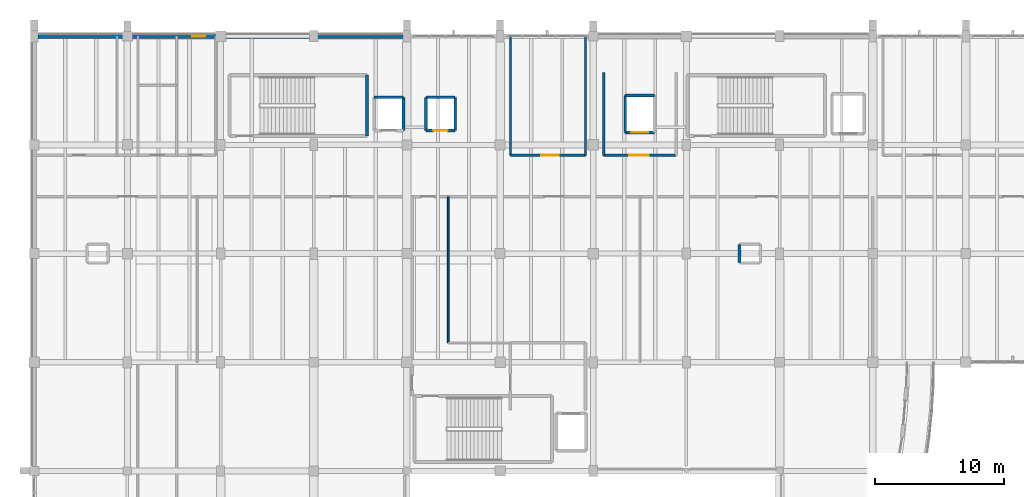
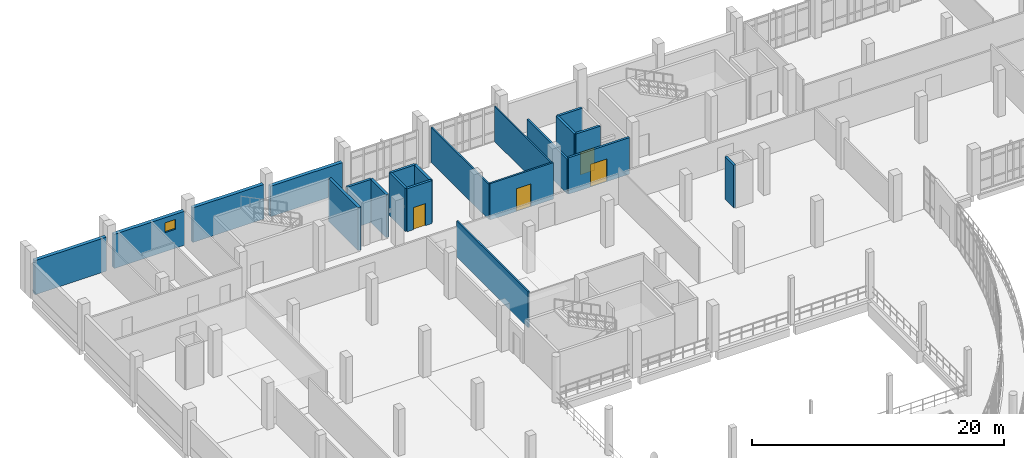
# One storey, part 104 of 116: 21 walls, 4 doors, 1 window, 5 openings.
"""IFC4 building model written with IfcOpenShell, lengths in metres."""

from ifc_helpers import new_model, si_unit, direction, frame, frame_2d, origin, place, context, subcontext, project, spatial, rectangle, extrude, material, layer, layer_set, type_object, element, fill, save


model = new_model("IFC4")

# Units and contexts
model_context = context("Model", 3, precision=1e-05, world=origin(), true_north=direction((0.0, 1.0)))
body_context = subcontext(model_context, "Body", "Model", "MODEL_VIEW")
ifc_project = project(units=[si_unit("LENGTHUNIT", "METRE"), si_unit("AREAUNIT", "SQUARE_METRE"), si_unit("VOLUMEUNIT", "CUBIC_METRE"), si_unit("PLANEANGLEUNIT", "RADIAN"), si_unit("MASSUNIT", "GRAM", prefix="KILO")], contexts=[model_context])

# Site, building, storey
site_placement = place(None, origin())
site = spatial("IfcSite", under=ifc_project, at=site_placement, CompositionType="ELEMENT")
building_placement = place(site_placement, origin())
building = spatial("IfcBuilding", under=site, at=building_placement, Name="Kalluvel Institute of Natural Sciences", CompositionType="ELEMENT")
storey_placement = place(building_placement, frame((0.0, 0.0, 14.39990234375)))
storey = spatial("IfcBuildingStorey", under=building, at=storey_placement, Name="L03", CompositionType="ELEMENT", Elevation=14.39990234375)

# Walls
ifc_material_1 = material(Name="Concrete M40", Category="concrete")
ifc_layer_1 = layer(ifc_material_1, 0.25)
ifc_layer_set_1 = layer_set([ifc_layer_1], Name="Concrete M40")
wall_type_1 = type_object("IfcWallType", Name="WL-CORE-250", PredefinedType="SHEAR", material=ifc_layer_set_1)
wall_1_placement = place(storey_placement, frame((39.715087890625, 120.284912109375, 0.0), z_axis=(0.0, 0.0, 1.0), x_axis=(0.0, 1.0, 0.0)))
element("IfcWall", 1, at=wall_1_placement, inside=storey, type_object=wall_type_1, Name="ST1 L03 core wall E", PredefinedType="SHEAR", context=body_context, shape_type="SweptSolid", body=[
    extrude(rectangle(XDim=4.7001953125, YDim=0.25, at=frame_2d((2.35009765625, 0.0))), origin(), (0.0, 0.0, 1.0), 4.175048828125),
])
ifc_material_2 = material(Name="Sadarahalli Grey Granite Ashlar Concrete M40", Category="masonry")
ifc_layer_2 = layer(ifc_material_2, 0.320068359375)
ifc_layer_set_2 = layer_set([ifc_layer_2], Name="Sadarahalli Grey Granite Ashlar Concrete M40")
wall_type_2 = type_object("IfcWallType", Name="WL-EXT-320", PredefinedType="SOLIDWALL", material=ifc_layer_set_2)
wall_2_placement = place(storey_placement, frame((14.280029296875, 128.0, 0.0), z_axis=(0.0, 0.0, 1.0), x_axis=(1.0, 0.0, 0.0)))
element("IfcWall", 2, at=wall_2_placement, inside=storey, type_object=wall_type_2, Name="L03 Sadarahalli granite exterior wall WL-EXT-L03-0039", PredefinedType="SOLIDWALL", context=body_context, shape_type="SweptSolid", body=[
    extrude(rectangle(XDim=6.56494140625, YDim=0.320068359375, at=frame_2d((3.282470703125, 0.0))), origin(), (0.0, 0.0, 1.0), 3.30517578125),
])

# Wall, opening, window
wall_3_placement = place(storey_placement, frame((21.554931640625, 128.0, 0.0), z_axis=(0.0, 0.0, 1.0), x_axis=(1.0, 0.0, 0.0)))
wall_3 = element("IfcWall", 3, at=wall_3_placement, inside=storey, type_object=wall_type_2, Name="L03 Sadarahalli granite exterior wall WL-EXT-L03-0040", PredefinedType="SOLIDWALL", context=body_context, shape_type="SweptSolid", body=[
    extrude(rectangle(XDim=6.465087890625, YDim=0.320068359375, at=frame_2d((3.232421875, 0.0))), origin(), (0.0, 0.0, 1.0), 3.30517578125),
])
opening_1_placement = place(wall_3_placement, frame((4.64990234375, 0.0, 1.85009765625)))
opening_1 = element("IfcOpeningElement", 4, at=opening_1_placement, cuts=wall_3, Name="Opening W-23", PredefinedType="OPENING", context=body_context, shape_type="SweptSolid", body=[
    extrude(rectangle(XDim=1.0, YDim=0.949951171875, at=frame_2d((0.5, 0.47509765625))), frame((0.0, 0.169921875, 0.0), z_axis=(0.0, -1.0, 0.0), x_axis=(1.0, 0.0, 0.0)), (0.0, 0.0, 1.0), 0.340087890625),
])
ifc_material_3 = material(Name="Solar-Control Low-E Laminated Glass", Category="glass")
window_type = type_object("IfcWindowType", Name="WN-HIGH-100x095", PartitioningType="SINGLE_PANEL", PredefinedType="WINDOW", material=ifc_material_3)
window_placement = place(opening_1_placement, origin())
window = element("IfcWindow", 5, at=window_placement, inside=storey, type_object=window_type, Name="L03 Gothic lancet window 17", OverallHeight=0.949951171875, OverallWidth=1.0, PartitioningType="SINGLE_PANEL", PredefinedType="WINDOW", context=body_context, shape_type="SweptSolid", body=[
    extrude(rectangle(XDim=1.0, YDim=0.949951171875, at=frame_2d((0.5, 0.47509765625))), frame((0.0, 0.030029296875, 0.0), z_axis=(0.0, -1.0, 0.0), x_axis=(1.0, 0.0, 0.0)), (0.0, 0.0, 1.0), 0.06005859375),
])
fill(opening_1, window)

# Walls
wall_4_placement = place(storey_placement, frame((28.780029296875, 128.0, 0.0), z_axis=(0.0, 0.0, 1.0), x_axis=(1.0, 0.0, 0.0)))
element("IfcWall", 6, at=wall_4_placement, inside=storey, type_object=wall_type_2, Name="L03 Sadarahalli granite exterior wall WL-EXT-L03-0041", PredefinedType="SOLIDWALL", context=body_context, shape_type="SweptSolid", body=[
    extrude(rectangle(XDim=6.514892578125, YDim=0.320068359375, at=frame_2d((3.25732421875, 0.0))), origin(), (0.0, 0.0, 1.0), 3.35498046875),
])
wall_5_placement = place(storey_placement, frame((35.905029296875, 128.0, 0.0), z_axis=(0.0, 0.0, 1.0), x_axis=(1.0, 0.0, 0.0)))
element("IfcWall", 7, at=wall_5_placement, inside=storey, type_object=wall_type_2, Name="L03 Sadarahalli granite exterior wall WL-EXT-L03-0042", PredefinedType="SOLIDWALL", context=body_context, shape_type="SweptSolid", body=[
    extrude(rectangle(XDim=6.614990234375, YDim=0.320068359375, at=frame_2d((3.3076171875, 0.0))), origin(), (0.0, 0.0, 1.0), 2.955078125),
])
ifc_material_4 = material(Name="Autoclaved Aerated Concrete Masonry Block", Category="masonry")
ifc_layer_3 = layer(ifc_material_4, 0.179931640625)
ifc_layer_set_3 = layer_set([ifc_layer_3], Name="Autoclaved Aerated Concrete Masonry Block")
wall_type_3 = type_object("IfcWallType", Name="WL-FIRE-180", PredefinedType="SOLIDWALL", material=ifc_layer_set_3)
wall_6_placement = place(storey_placement, frame((58.0, 118.800048828125, 0.0), z_axis=(0.0, 0.0, 1.0), x_axis=(0.0, 1.0, 0.0)))
element("IfcWall", 8, at=wall_6_placement, inside=storey, type_object=wall_type_3, Name="L03 interior fire wall WL-INT-L03-0165", PredefinedType="SOLIDWALL", context=body_context, shape_type="SweptSolid", body=[
    extrude(rectangle(XDim=6.39990234375, YDim=0.179931640625, at=frame_2d((3.199951171875, 0.0))), origin(), (0.0, 0.0, 1.0), 3.360107421875),
])

# Wall, opening, door
ifc_layer_4 = layer(ifc_material_4, 0.199951171875)
ifc_layer_set_4 = layer_set([ifc_layer_4], Name="Autoclaved Aerated Concrete Masonry Block")
wall_type_4 = type_object("IfcWallType", Name="WL-FIRE-200", PredefinedType="SOLIDWALL", material=ifc_layer_set_4)
wall_7_placement = place(storey_placement, frame((58.0, 118.800048828125, 0.0), z_axis=(0.0, 0.0, 1.0), x_axis=(1.0, 0.0, 0.0)))
wall_7 = element("IfcWall", 9, at=wall_7_placement, inside=storey, type_object=wall_type_4, Name="L03 interior fire wall WL-INT-L03-0164", PredefinedType="SOLIDWALL", context=body_context, shape_type="SweptSolid", body=[
    extrude(rectangle(XDim=5.60009765625, YDim=0.199951171875, at=frame_2d((2.800048828125, 0.0))), origin(), (0.0, 0.0, 1.0), 3.5400390625),
])
opening_2_placement = place(wall_7_placement, frame((2.0, 0.0, 0.0)))
opening_2 = element("IfcOpeningElement", 10, at=opening_2_placement, cuts=wall_7, Name="Opening D-144", PredefinedType="OPENING", context=body_context, shape_type="SweptSolid", body=[
    extrude(rectangle(XDim=1.5, YDim=2.199951171875, at=frame_2d((0.75, 1.10009765625))), frame((0.0, 0.10986328125, 0.0), z_axis=(0.0, -1.0, 0.0), x_axis=(1.0, 0.0, 0.0)), (0.0, 0.0, 1.0), 0.219970703125),
])
ifc_material_5 = material(Name="Galvanized Fire-Rated Steel", Category="steel")
door_type_1 = type_object("IfcDoorType", Name="DR-FD60-1500", OperationType="NOTDEFINED", PredefinedType="DOOR", material=ifc_material_5)
door_1_placement = place(opening_2_placement, origin())
door_1 = element("IfcDoor", 11, at=door_1_placement, inside=storey, type_object=door_type_1, Name="L03 FF1 door D-144", OperationType="DOUBLE_DOOR_SINGLE_SWING", OverallHeight=2.199951171875, OverallWidth=1.5, PredefinedType="DOOR", context=body_context, shape_type="SweptSolid", body=[
    extrude(rectangle(XDim=1.5, YDim=2.199951171875, at=frame_2d((0.75, 1.10009765625))), frame((0.0, 0.02490234375, 0.0), z_axis=(0.0, -1.0, 0.0), x_axis=(1.0, 0.0, 0.0)), (0.0, 0.0, 1.0), 0.050048828125),
])
fill(opening_2, door_1)

# Walls
ifc_material_6 = material(Name="Acoustic Gypsum Twin-Stud Partition", Category="gypsum")
ifc_layer_5 = layer(ifc_material_6, 0.1201171875)
ifc_layer_set_5 = layer_set([ifc_layer_5], Name="Acoustic Gypsum Twin-Stud Partition")
wall_type_5 = type_object("IfcWallType", Name="WL-PART-120", PredefinedType="PARTITIONING", material=ifc_layer_set_5)
wall_8_placement = place(storey_placement, frame((56.60009765625, 118.800048828125, 0.0), z_axis=(0.0, 0.0, 1.0), x_axis=(0.0, 1.0, 0.0)))
element("IfcWall", 12, at=wall_8_placement, inside=storey, type_object=wall_type_5, Name="L03 interior partition wall WL-INT-L03-0181", PredefinedType="PARTITIONING", context=body_context, shape_type="SweptSolid", body=[
    extrude(rectangle(XDim=9.199951171875, YDim=0.1201171875, at=frame_2d((4.60009765625, 0.0))), origin(), (0.0, 0.0, 1.0), 3.41015625),
])
ifc_layer_6 = layer(ifc_material_6, 0.139892578125)
ifc_layer_set_6 = layer_set([ifc_layer_6], Name="Acoustic Gypsum Twin-Stud Partition")
wall_type_6 = type_object("IfcWallType", Name="WL-PART-140", PredefinedType="PARTITIONING", material=ifc_layer_set_6)
wall_9_placement = place(storey_placement, frame((46.0, 104.300048828125, 0.0), z_axis=(0.0, 0.0, 1.0), x_axis=(0.0, 1.0, 0.0)))
element("IfcWall", 13, at=wall_9_placement, inside=storey, type_object=wall_type_6, Name="L03 interior partition wall WL-INT-L03-0171", PredefinedType="PARTITIONING", context=body_context, shape_type="SweptSolid", body=[
    extrude(rectangle(XDim=11.300048828125, YDim=0.139892578125, at=frame_2d((5.64990234375, 0.0))), origin(), (0.0, 0.0, 1.0), 3.52001953125),
])
wall_10_placement = place(storey_placement, frame((50.800048828125, 118.800048828125, 0.0), z_axis=(0.0, 0.0, 1.0), x_axis=(0.0, 1.0, 0.0)))
element("IfcWall", 14, at=wall_10_placement, inside=storey, type_object=wall_type_6, Name="L03 interior partition wall WL-INT-L03-0180", PredefinedType="PARTITIONING", context=body_context, shape_type="SweptSolid", body=[
    extrude(rectangle(XDim=9.199951171875, YDim=0.139892578125, at=frame_2d((4.60009765625, 0.0))), origin(), (0.0, 0.0, 1.0), 3.41015625),
])

# Wall, opening, door
ifc_layer_7 = layer(ifc_material_4, 0.159912109375)
ifc_layer_set_7 = layer_set([ifc_layer_7], Name="Autoclaved Aerated Concrete Masonry Block")
wall_type_7 = type_object("IfcWallType", Name="WL-PART-160", PredefinedType="PARTITIONING", material=ifc_layer_set_7)
wall_11_placement = place(storey_placement, frame((50.800048828125, 118.800048828125, 0.0), z_axis=(0.0, 0.0, 1.0), x_axis=(1.0, 0.0, 0.0)))
wall_11 = element("IfcWall", 15, at=wall_11_placement, inside=storey, type_object=wall_type_7, Name="L03 interior partition wall WL-INT-L03-0179", PredefinedType="PARTITIONING", context=body_context, shape_type="SweptSolid", body=[
    extrude(rectangle(XDim=5.800048828125, YDim=0.159912109375, at=frame_2d((2.89990234375, 0.0))), origin(), (0.0, 0.0, 1.0), 3.5400390625),
])
opening_3_placement = place(wall_11_placement, frame((2.39990234375, 0.0, 0.0)))
opening_3 = element("IfcOpeningElement", 16, at=opening_3_placement, cuts=wall_11, Name="Opening D-150", PredefinedType="OPENING", context=body_context, shape_type="SweptSolid", body=[
    extrude(rectangle(XDim=1.35009765625, YDim=2.199951171875, at=frame_2d((0.675048828125, 1.10009765625))), frame((0.0, 0.08984375, 0.0), z_axis=(0.0, -1.0, 0.0), x_axis=(1.0, 0.0, 0.0)), (0.0, 0.0, 1.0), 0.179931640625),
])
ifc_material_7 = material(Name="Aluminium AW-6063 T6", Category="aluminium")
door_type_2 = type_object("IfcDoorType", Name="DR-INT-1350", OperationType="NOTDEFINED", PredefinedType="DOOR", material=ifc_material_7)
door_2_placement = place(opening_3_placement, origin())
door_2 = element("IfcDoor", 17, at=door_2_placement, inside=storey, type_object=door_type_2, Name="L03 North Write-Up door D-150", OperationType="SINGLE_SWING_RIGHT", OverallHeight=2.199951171875, OverallWidth=1.35009765625, PredefinedType="DOOR", context=body_context, shape_type="SweptSolid", body=[
    extrude(rectangle(XDim=1.35009765625, YDim=2.199951171875, at=frame_2d((0.675048828125, 1.10009765625))), frame((0.0, 0.02490234375, 0.0), z_axis=(0.0, -1.0, 0.0), x_axis=(1.0, 0.0, 0.0)), (0.0, 0.0, 1.0), 0.050048828125),
])
fill(opening_3, door_2)

# Walls
ifc_layer_8 = layer(ifc_material_1, 0.199951171875)
ifc_layer_set_8 = layer_set([ifc_layer_8], Name="Concrete M40")
wall_type_8 = type_object("IfcWallType", Name="WL-RISER-200", PredefinedType="SHEAR", material=ifc_layer_set_8)
wall_12_placement = place(storey_placement, frame((68.5, 111.89990234375, 0.0), z_axis=(0.0, 0.0, 1.0), x_axis=(0.0, -1.0, 0.0)))
element("IfcWall", 18, at=wall_12_placement, inside=storey, type_object=wall_type_8, Name="RS-WET-E L03 service riser enclosure W", PredefinedType="SHEAR", context=body_context, shape_type="SweptSolid", body=[
    extrude(rectangle(XDim=1.39990234375, YDim=0.199951171875, at=frame_2d((0.699951171875, 0.0))), origin(), (0.0, 0.0, 1.0), 4.14013671875),
])
ifc_layer_9 = layer(ifc_material_1, 0.219970703125)
ifc_layer_set_9 = layer_set([ifc_layer_9], Name="Concrete M40")
wall_type_9 = type_object("IfcWallType", Name="WL-SHAFT-220", PredefinedType="SHEAR", material=ifc_layer_set_9)
wall_13_placement = place(storey_placement, frame((42.530029296875, 120.719970703125, 0.0), z_axis=(0.0, 0.0, 1.0), x_axis=(0.0, 1.0, 0.0)))
element("IfcWall", 19, at=wall_13_placement, inside=storey, type_object=wall_type_9, Name="LF1 L03 lift shaft wall", PredefinedType="SHEAR", context=body_context, shape_type="SweptSolid", body=[
    extrude(rectangle(XDim=2.56005859375, YDim=0.219970703125, at=frame_2d((1.280029296875, 0.0))), origin(), (0.0, 0.0, 1.0), 4.175048828125),
])
wall_14_placement = place(storey_placement, frame((42.530029296875, 123.280029296875, 0.0), z_axis=(0.0, 0.0, 1.0), x_axis=(-1.0, 0.0, 0.0)))
element("IfcWall", 20, at=wall_14_placement, inside=storey, type_object=wall_type_9, Name="LF1 L03 lift shaft wall", PredefinedType="SHEAR", context=body_context, shape_type="SweptSolid", body=[
    extrude(rectangle(XDim=2.260009765625, YDim=0.219970703125, at=frame_2d((1.1298828125, 0.0))), origin(), (0.0, 0.0, 1.0), 4.175048828125),
])

# Wall, opening, door
wall_15_placement = place(storey_placement, frame((44.27001953125, 120.719970703125, 0.0), z_axis=(0.0, 0.0, 1.0), x_axis=(1.0, 0.0, 0.0)))
wall_15 = element("IfcWall", 21, at=wall_15_placement, inside=storey, type_object=wall_type_9, Name="LF2 L03 lift shaft wall", PredefinedType="SHEAR", context=body_context, shape_type="SweptSolid", body=[
    extrude(rectangle(XDim=2.260009765625, YDim=0.219970703125, at=frame_2d((1.1298828125, 0.0))), origin(), (0.0, 0.0, 1.0), 4.175048828125),
])
opening_4_placement = place(wall_15_placement, frame((0.580078125, 0.0, 0.0)))
opening_4 = element("IfcOpeningElement", 22, at=opening_4_placement, cuts=wall_15, Name="Opening LD-015", PredefinedType="OPENING", context=body_context, shape_type="SweptSolid", body=[
    extrude(rectangle(XDim=1.10009765625, YDim=2.14990234375, at=frame_2d((0.550048828125, 1.074951171875))), frame((0.0, 0.119873046875, 0.0), z_axis=(0.0, -1.0, 0.0), x_axis=(1.0, 0.0, 0.0)), (0.0, 0.0, 1.0), 0.239990234375),
])
door_type_3 = type_object("IfcDoorType", Name="DR-LD-1100", OperationType="NOTDEFINED", PredefinedType="DOOR", material=ifc_material_5)
door_3_placement = place(opening_4_placement, origin())
door_3 = element("IfcDoor", 23, at=door_3_placement, inside=storey, type_object=door_type_3, Name="LF2 L03 sliding lift landing door LD-015", OperationType="DOUBLE_DOOR_SLIDING", OverallHeight=2.14990234375, OverallWidth=1.10009765625, PredefinedType="DOOR", context=body_context, shape_type="SweptSolid", body=[
    extrude(rectangle(XDim=1.10009765625, YDim=2.14990234375, at=frame_2d((0.550048828125, 1.074951171875))), frame((0.0, 0.02490234375, 0.0), z_axis=(0.0, -1.0, 0.0), x_axis=(1.0, 0.0, 0.0)), (0.0, 0.0, 1.0), 0.050048828125),
])
fill(opening_4, door_3)

# Walls
wall_16_placement = place(storey_placement, frame((46.530029296875, 120.719970703125, 0.0), z_axis=(0.0, 0.0, 1.0), x_axis=(0.0, 1.0, 0.0)))
element("IfcWall", 24, at=wall_16_placement, inside=storey, type_object=wall_type_9, Name="LF2 L03 lift shaft wall", PredefinedType="SHEAR", context=body_context, shape_type="SweptSolid", body=[
    extrude(rectangle(XDim=2.56005859375, YDim=0.219970703125, at=frame_2d((1.280029296875, 0.0))), origin(), (0.0, 0.0, 1.0), 4.175048828125),
])
wall_17_placement = place(storey_placement, frame((46.530029296875, 123.280029296875, 0.0), z_axis=(0.0, 0.0, 1.0), x_axis=(-1.0, 0.0, 0.0)))
element("IfcWall", 25, at=wall_17_placement, inside=storey, type_object=wall_type_9, Name="LF2 L03 lift shaft wall", PredefinedType="SHEAR", context=body_context, shape_type="SweptSolid", body=[
    extrude(rectangle(XDim=2.260009765625, YDim=0.219970703125, at=frame_2d((1.1298828125, 0.0))), origin(), (0.0, 0.0, 1.0), 4.175048828125),
])
wall_18_placement = place(storey_placement, frame((44.27001953125, 123.280029296875, 0.0), z_axis=(0.0, 0.0, 1.0), x_axis=(0.0, -1.0, 0.0)))
element("IfcWall", 26, at=wall_18_placement, inside=storey, type_object=wall_type_9, Name="LF2 L03 lift shaft wall", PredefinedType="SHEAR", context=body_context, shape_type="SweptSolid", body=[
    extrude(rectangle(XDim=2.56005859375, YDim=0.219970703125, at=frame_2d((1.280029296875, 0.0))), origin(), (0.0, 0.0, 1.0), 4.175048828125),
])

# Wall, opening, door
wall_19_placement = place(storey_placement, frame((59.669921875, 120.570068359375, 0.0), z_axis=(0.0, 0.0, 1.0), x_axis=(1.0, 0.0, 0.0)))
wall_19 = element("IfcWall", 27, at=wall_19_placement, inside=storey, type_object=wall_type_9, Name="LF3 L03 lift shaft wall", PredefinedType="SHEAR", context=body_context, shape_type="SweptSolid", body=[
    extrude(rectangle(XDim=2.260009765625, YDim=0.219970703125, at=frame_2d((1.1298828125, 0.0))), origin(), (0.0, 0.0, 1.0), 4.175048828125),
])
opening_5_placement = place(wall_19_placement, frame((0.47998046875, 0.0, 0.0)))
opening_5 = element("IfcOpeningElement", 28, at=opening_5_placement, cuts=wall_19, Name="Opening LD-025", PredefinedType="OPENING", context=body_context, shape_type="SweptSolid", body=[
    extrude(rectangle(XDim=1.300048828125, YDim=2.199951171875, at=frame_2d((0.64990234375, 1.10009765625))), frame((0.0, 0.119873046875, 0.0), z_axis=(0.0, -1.0, 0.0), x_axis=(1.0, 0.0, 0.0)), (0.0, 0.0, 1.0), 0.239990234375),
])
door_type_4 = type_object("IfcDoorType", Name="DR-LD-1300", OperationType="NOTDEFINED", PredefinedType="DOOR", material=ifc_material_5)
door_4_placement = place(opening_5_placement, origin())
door_4 = element("IfcDoor", 29, at=door_4_placement, inside=storey, type_object=door_type_4, Name="LF3 L03 sliding lift landing door LD-025", OperationType="DOUBLE_DOOR_SLIDING", OverallHeight=2.199951171875, OverallWidth=1.300048828125, PredefinedType="DOOR", context=body_context, shape_type="SweptSolid", body=[
    extrude(rectangle(XDim=1.300048828125, YDim=2.199951171875, at=frame_2d((0.64990234375, 1.10009765625))), frame((0.0, 0.02490234375, 0.0), z_axis=(0.0, -1.0, 0.0), x_axis=(1.0, 0.0, 0.0)), (0.0, 0.0, 1.0), 0.050048828125),
])
fill(opening_5, door_4)

# Walls
wall_20_placement = place(storey_placement, frame((61.929931640625, 123.429931640625, 0.0), z_axis=(0.0, 0.0, 1.0), x_axis=(-1.0, 0.0, 0.0)))
element("IfcWall", 30, at=wall_20_placement, inside=storey, type_object=wall_type_9, Name="LF3 L03 lift shaft wall", PredefinedType="SHEAR", context=body_context, shape_type="SweptSolid", body=[
    extrude(rectangle(XDim=2.260009765625, YDim=0.219970703125, at=frame_2d((1.1298828125, 0.0))), origin(), (0.0, 0.0, 1.0), 4.175048828125),
])
wall_21_placement = place(storey_placement, frame((59.669921875, 123.429931640625, 0.0), z_axis=(0.0, 0.0, 1.0), x_axis=(0.0, -1.0, 0.0)))
element("IfcWall", 31, at=wall_21_placement, inside=storey, type_object=wall_type_9, Name="LF3 L03 lift shaft wall", PredefinedType="SHEAR", context=body_context, shape_type="SweptSolid", body=[
    extrude(rectangle(XDim=2.85986328125, YDim=0.219970703125, at=frame_2d((1.429931640625, 0.0))), origin(), (0.0, 0.0, 1.0), 4.175048828125),
])

save(model, "model.ifc")
